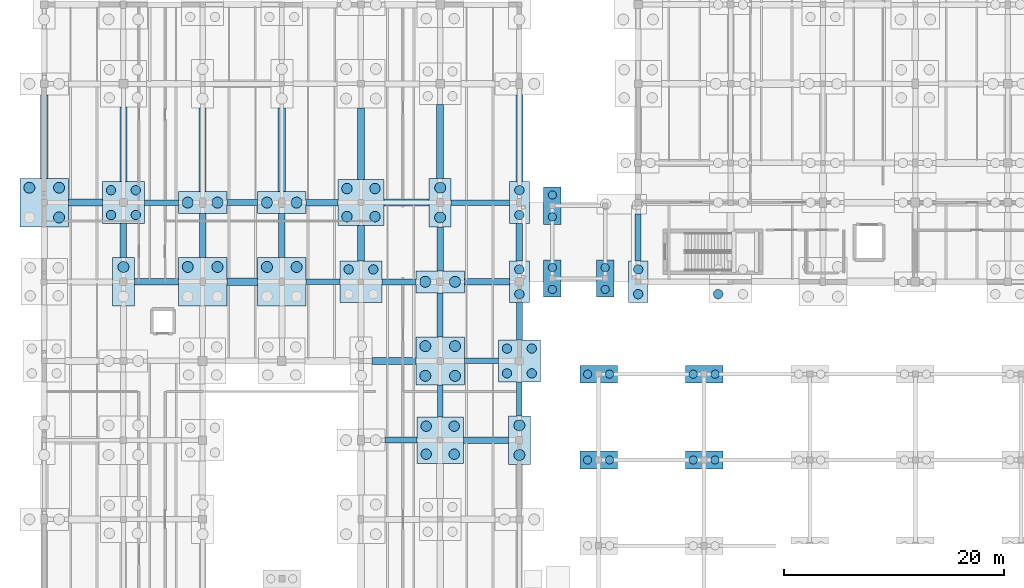
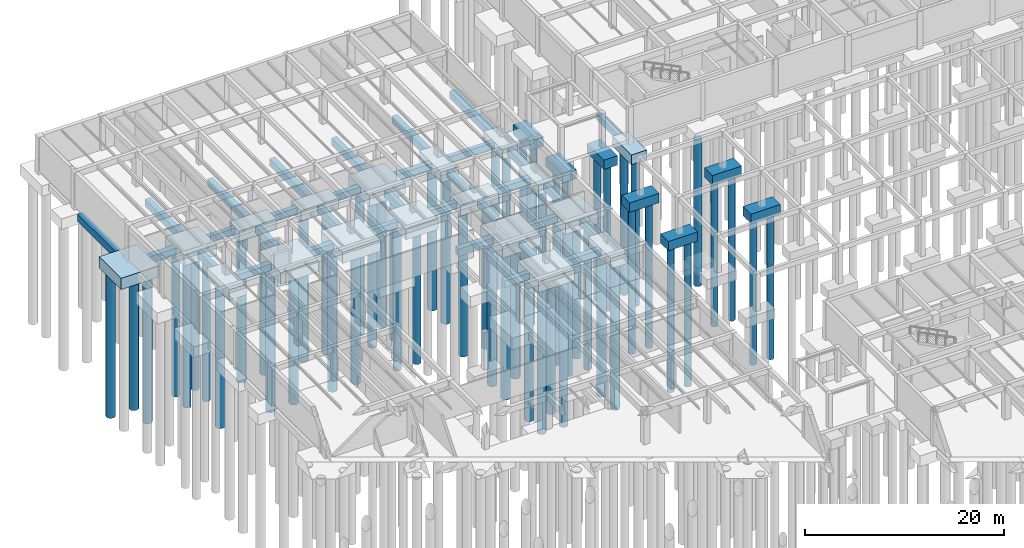
# One storey, part 7 of 63: 61 piles, 58 footings.
"""IFC4 building model written with IfcOpenShell, lengths in metres."""

from ifc_helpers import new_model, si_unit, direction, frame, origin, origin_2d, place, context, subcontext, project, spatial, rectangle, circle, extrude, material, material_profile, profile_set, type_object, element, save


model = new_model("IFC4")

# Units and contexts
model_context = context("Model", 3, precision=1e-05, world=origin(), true_north=direction((0.0, 1.0)))
body_context = subcontext(model_context, "Body", "Model", "MODEL_VIEW")
ifc_project = project(units=[si_unit("LENGTHUNIT", "METRE"), si_unit("AREAUNIT", "SQUARE_METRE"), si_unit("VOLUMEUNIT", "CUBIC_METRE"), si_unit("PLANEANGLEUNIT", "RADIAN"), si_unit("MASSUNIT", "GRAM", prefix="KILO")], contexts=[model_context])

# Site, building, storey
site_placement = place(None, origin())
site = spatial("IfcSite", under=ifc_project, at=site_placement, CompositionType="ELEMENT")
building_placement = place(site_placement, origin())
building = spatial("IfcBuilding", under=site, at=building_placement, Name="Mazaris Harbour Polytechnic", CompositionType="ELEMENT")
storey_placement = place(building_placement, frame((0.0, 0.0, -4.5)))
storey = spatial("IfcBuildingStorey", under=building, at=storey_placement, Name="B1", CompositionType="ELEMENT", Elevation=-4.5)

# Piles
ifc_material_1 = material(Name="Concrete C35/45", Category="concrete")
ifc_material_profile_1 = material_profile(ifc_material_1, circle(Radius=0.5, at=origin_2d()), Name="DIA1000")
ifc_profile_set_1 = profile_set([ifc_material_profile_1], Name="Concrete C35/45")
pile_type_1 = type_object("IfcPileType", Name="Bored Pile 1000", PredefinedType="BORED", material=ifc_profile_set_1)
for number, where, z_axis, x_axis, name in (
    (1, (1.35009765625, 81.449951171875, -1.719970703125), (0.0, 0.0, -1.0), (1.0, 0.0, 0.0), "Bored Pile BP-162-2"),
    (2, (-1.35009765625, 84.14990234375, -1.719970703125), (0.0, 0.0, -1.0), (1.0, 0.0, 0.0), "Bored Pile BP-162-3"),
    (3, (1.35009765625, 84.14990234375, -1.719970703125), (0.0, 0.0, -1.0), (1.0, 0.0, 0.0), "Bored Pile BP-162-4"),
    (4, (7.199951171875, 76.949951171875, -1.6201171875), (0.0, 0.0, -1.0), (1.0, 0.0, 0.0), "Bored Pile BP-174-2"),
    (5, (13.050048828125, 76.949951171875, -1.719970703125), (0.0, 0.0, -1.0), (1.0, 0.0, 0.0), "Bored Pile BP-187-3"),
    (6, (15.75, 76.949951171875, -1.719970703125), (0.0, 0.0, -1.0), (1.0, 0.0, 0.0), "Bored Pile BP-187-4"),
    (7, (13.050048828125, 82.800048828125, -1.6201171875), (0.0, 0.0, -1.0), (1.0, 0.0, 0.0), "Bored Pile BP-188-1"),
    (8, (15.75, 82.800048828125, -1.6201171875), (0.0, 0.0, -1.0), (1.0, 0.0, 0.0), "Bored Pile BP-188-2"),
    (9, (20.25, 76.949951171875, -1.719970703125), (0.0, 0.0, -1.0), (1.0, 0.0, 0.0), "Bored Pile BP-197-3"),
    (10, (22.949951171875, 76.949951171875, -1.719970703125), (0.0, 0.0, -1.0), (1.0, 0.0, 0.0), "Bored Pile BP-197-4"),
    (11, (20.25, 82.800048828125, -1.6201171875), (0.0, 0.0, -1.0), (1.0, 0.0, 0.0), "Bored Pile BP-198-1"),
    (12, (22.949951171875, 82.800048828125, -1.6201171875), (0.0, 0.0, -1.0), (1.0, 0.0, 0.0), "Bored Pile BP-198-2"),
    (13, (34.64990234375, 67.050048828125, -1.719970703125), (0.0, 0.0, -1.0), (1.0, 0.0, 0.0), "Bored Pile BP-222-1"),
    (14, (37.35009765625, 67.050048828125, -1.719970703125), (0.0, 0.0, -1.0), (1.0, 0.0, 0.0), "Bored Pile BP-222-2"),
    (15, (34.64990234375, 69.75, -1.719970703125), (0.0, 0.0, -1.0), (1.0, 0.0, 0.0), "Bored Pile BP-222-3"),
    (16, (37.35009765625, 69.75, -1.719970703125), (0.0, 0.0, -1.0), (1.0, 0.0, 0.0), "Bored Pile BP-222-4"),
    (17, (34.64990234375, 75.60009765625, -1.6201171875), (0.0, 0.0, -1.0), (1.0, 0.0, 0.0), "Bored Pile BP-223-1"),
    (18, (37.35009765625, 75.60009765625, -1.6201171875), (0.0, 0.0, -1.0), (1.0, 0.0, 0.0), "Bored Pile BP-223-2"),
    (19, (36.0, 81.449951171875, -1.6201171875), (0.0, 0.0, -1.0), (1.0, 0.0, 0.0), "Bored Pile BP-224-1"),
    (20, (36.0, 84.14990234375, -1.6201171875), (0.0, 0.0, -1.0), (1.0, 0.0, 0.0), "Bored Pile BP-224-2"),
    (21, (43.199951171875, 59.85009765625, -1.6201171875), (0.0, 0.0, -1.0), (1.0, 0.0, 0.0), "Bored Pile BP-234-1"),
    (22, (43.199951171875, 62.550048828125, -1.6201171875), (0.0, 0.0, -1.0), (1.0, 0.0, 0.0), "Bored Pile BP-234-2"),
):
    element("IfcPile", number, at=place(storey_placement, frame(where, z_axis=z_axis, x_axis=x_axis)), inside=storey, type_object=pile_type_1, Name=name, PredefinedType="BORED", context=body_context, shape_type="SweptSolid", body=[
        extrude(circle(Radius=0.5, at=origin_2d()), origin(), (0.0, 0.0, 1.0), 18.0),
    ])
ifc_material_2 = material(Name="Concrete C35/45", Category="concrete")
ifc_material_profile_2 = material_profile(ifc_material_2, circle(Radius=0.375, at=origin_2d()), Name="DIA750")
ifc_profile_set_2 = profile_set([ifc_material_profile_2], Name="Concrete C35/45")
pile_type_2 = type_object("IfcPileType", Name="Bored Pile 750", PredefinedType="BORED", material=ifc_profile_set_2)
for number, where, z_axis, x_axis, name in (
    (23, (46.199951171875, 74.90625, -1.429931640625), (0.0, 0.0, -1.0), (1.0, 0.0, 0.0), "Bored Pile BP-318-1"),
    (24, (46.199951171875, 76.893798828125, -1.429931640625), (0.0, 0.0, -1.0), (1.0, 0.0, 0.0), "Bored Pile BP-318-2"),
    (25, (46.199951171875, 81.506103515625, -1.429931640625), (0.0, 0.0, -1.0), (1.0, 0.0, 0.0), "Bored Pile BP-319-1"),
    (26, (46.199951171875, 83.493896484375, -1.429931640625), (0.0, 0.0, -1.0), (1.0, 0.0, 0.0), "Bored Pile BP-319-2"),
    (27, (51.0, 74.90625, -1.429931640625), (0.0, 0.0, -1.0), (1.0, 0.0, 0.0), "Bored Pile BP-320-1"),
    (28, (51.0, 76.893798828125, -1.429931640625), (0.0, 0.0, -1.0), (1.0, 0.0, 0.0), "Bored Pile BP-320-2"),
    (29, (49.40625, 59.39990234375, -1.429931640625), (0.0, 0.0, -1.0), (1.0, 0.0, 0.0), "Bored Pile BP-342-1"),
    (30, (51.393798828125, 59.39990234375, -1.429931640625), (0.0, 0.0, -1.0), (1.0, 0.0, 0.0), "Bored Pile BP-342-2"),
    (31, (49.40625, 67.199951171875, -1.429931640625), (0.0, 0.0, -1.0), (1.0, 0.0, 0.0), "Bored Pile BP-343-1"),
    (32, (51.393798828125, 67.199951171875, -1.429931640625), (0.0, 0.0, -1.0), (1.0, 0.0, 0.0), "Bored Pile BP-343-2"),
    (33, (59.006103515625, 59.39990234375, -1.429931640625), (0.0, 0.0, -1.0), (1.0, 0.0, 0.0), "Bored Pile BP-346-1"),
    (34, (60.993896484375, 59.39990234375, -1.429931640625), (0.0, 0.0, -1.0), (1.0, 0.0, 0.0), "Bored Pile BP-346-2"),
    (35, (59.006103515625, 67.199951171875, -1.429931640625), (0.0, 0.0, -1.0), (1.0, 0.0, 0.0), "Bored Pile BP-347-1"),
    (36, (60.993896484375, 67.199951171875, -1.429931640625), (0.0, 0.0, -1.0), (1.0, 0.0, 0.0), "Bored Pile BP-347-2"),
):
    element("IfcPile", number, at=place(storey_placement, frame(where, z_axis=z_axis, x_axis=x_axis)), inside=storey, type_object=pile_type_2, Name=name, PredefinedType="BORED", context=body_context, shape_type="SweptSolid", body=[
        extrude(circle(Radius=0.375, at=origin_2d()), origin(), (0.0, 0.0, 1.0), 18.0),
    ])
ifc_material_3 = material(Name="Concrete C35/45", Category="concrete")
ifc_material_profile_3 = material_profile(ifc_material_3, circle(Radius=0.425048828125, at=origin_2d()), Name="DIA850")
ifc_profile_set_3 = profile_set([ifc_material_profile_3], Name="Concrete C35/45")
pile_type_3 = type_object("IfcPileType", Name="Bored Pile 850", PredefinedType="BORED", material=ifc_profile_set_3)
for number, where, z_axis, x_axis, name in (
    (37, (54.0, 74.473876953125, -1.56005859375), (0.0, 0.0, -1.0), (1.0, 0.0, 0.0), "Bored Pile BP-001-1"),
    (38, (54.0, 76.726318359375, -1.56005859375), (0.0, 0.0, -1.0), (1.0, 0.0, 0.0), "Bored Pile BP-001-2"),
    (39, (61.273681640625, 74.473876953125, -1.659912109375), (0.0, 0.0, -1.0), (1.0, 0.0, 0.0), "Bored Pile BP-009-1"),
    (40, (6.07373046875, 81.673828125, -1.6201171875), (0.0, 0.0, -1.0), (1.0, 0.0, 0.0), "Bored Pile BP-175-1"),
    (41, (8.326171875, 81.673828125, -1.6201171875), (0.0, 0.0, -1.0), (1.0, 0.0, 0.0), "Bored Pile BP-175-2"),
    (42, (6.07373046875, 83.92626953125, -1.6201171875), (0.0, 0.0, -1.0), (1.0, 0.0, 0.0), "Bored Pile BP-175-3"),
    (43, (8.326171875, 83.92626953125, -1.6201171875), (0.0, 0.0, -1.0), (1.0, 0.0, 0.0), "Bored Pile BP-175-4"),
    (44, (27.673828125, 76.726318359375, -1.6201171875), (0.0, 0.0, -1.0), (1.0, 0.0, 0.0), "Bored Pile BP-210-3"),
    (45, (29.92626953125, 76.726318359375, -1.6201171875), (0.0, 0.0, -1.0), (1.0, 0.0, 0.0), "Bored Pile BP-210-4"),
    (46, (42.07373046875, 67.273681640625, -1.6201171875), (0.0, 0.0, -1.0), (1.0, 0.0, 0.0), "Bored Pile BP-235-1"),
    (47, (44.326171875, 67.273681640625, -1.6201171875), (0.0, 0.0, -1.0), (1.0, 0.0, 0.0), "Bored Pile BP-235-2"),
    (48, (42.07373046875, 69.526123046875, -1.6201171875), (0.0, 0.0, -1.0), (1.0, 0.0, 0.0), "Bored Pile BP-235-3"),
    (49, (44.326171875, 69.526123046875, -1.6201171875), (0.0, 0.0, -1.0), (1.0, 0.0, 0.0), "Bored Pile BP-235-4"),
    (50, (43.199951171875, 74.473876953125, -1.52001953125), (0.0, 0.0, -1.0), (1.0, 0.0, 0.0), "Bored Pile BP-236-1"),
    (51, (43.199951171875, 76.726318359375, -1.52001953125), (0.0, 0.0, -1.0), (1.0, 0.0, 0.0), "Bored Pile BP-236-2"),
    (52, (43.199951171875, 81.673828125, -1.52001953125), (0.0, 0.0, -1.0), (1.0, 0.0, 0.0), "Bored Pile BP-237-1"),
    (53, (43.199951171875, 83.92626953125, -1.52001953125), (0.0, 0.0, -1.0), (1.0, 0.0, 0.0), "Bored Pile BP-237-2"),
):
    element("IfcPile", number, at=place(storey_placement, frame(where, z_axis=z_axis, x_axis=x_axis)), inside=storey, type_object=pile_type_3, Name=name, PredefinedType="BORED", context=body_context, shape_type="SweptSolid", body=[
        extrude(circle(Radius=0.425048828125, at=origin_2d()), origin(), (0.0, 0.0, 1.0), 18.0),
    ])
ifc_material_4 = material(Name="Concrete C35/45", Category="concrete")
ifc_material_profile_4 = material_profile(ifc_material_4, circle(Radius=0.47509765625, at=origin_2d()), Name="DIA950")
ifc_profile_set_4 = profile_set([ifc_material_profile_4], Name="Concrete C35/45")
pile_type_4 = type_object("IfcPileType", Name="Bored Pile 950", PredefinedType="BORED", material=ifc_profile_set_4)
for number, where, z_axis, x_axis, name in (
    (54, (27.52490234375, 81.52490234375, -1.669921875), (0.0, 0.0, -1.0), (1.0, 0.0, 0.0), "Bored Pile BP-211-1"),
    (55, (30.074951171875, 81.52490234375, -1.669921875), (0.0, 0.0, -1.0), (1.0, 0.0, 0.0), "Bored Pile BP-211-2"),
    (56, (27.52490234375, 84.074951171875, -1.669921875), (0.0, 0.0, -1.0), (1.0, 0.0, 0.0), "Bored Pile BP-211-3"),
    (57, (30.074951171875, 84.074951171875, -1.669921875), (0.0, 0.0, -1.0), (1.0, 0.0, 0.0), "Bored Pile BP-211-4"),
    (58, (34.72509765625, 59.925048828125, -1.669921875), (0.0, 0.0, -1.0), (1.0, 0.0, 0.0), "Bored Pile BP-221-1"),
    (59, (37.27490234375, 59.925048828125, -1.669921875), (0.0, 0.0, -1.0), (1.0, 0.0, 0.0), "Bored Pile BP-221-2"),
    (60, (34.72509765625, 62.47509765625, -1.669921875), (0.0, 0.0, -1.0), (1.0, 0.0, 0.0), "Bored Pile BP-221-3"),
    (61, (37.27490234375, 62.47509765625, -1.669921875), (0.0, 0.0, -1.0), (1.0, 0.0, 0.0), "Bored Pile BP-221-4"),
):
    element("IfcPile", number, at=place(storey_placement, frame(where, z_axis=z_axis, x_axis=x_axis)), inside=storey, type_object=pile_type_4, Name=name, PredefinedType="BORED", context=body_context, shape_type="SweptSolid", body=[
        extrude(circle(Radius=0.47509765625, at=origin_2d()), origin(), (0.0, 0.0, 1.0), 18.0),
    ])

# Footings
ifc_material_5 = material(Name="Concrete C35/45", Category="concrete")
footing_type_1 = type_object("IfcFootingType", Name="Pile Cap 1600x3400x1150", PredefinedType="PILE_CAP", material=ifc_material_5)
for number, where, z_axis, x_axis, name in (
    (62, (46.199951171875, 75.89990234375, -1.530029296875), (0.0, 0.0, 1.0), (1.0, 0.0, 0.0), "Pile Cap CAP-318"),
    (63, (46.199951171875, 82.5, -1.530029296875), (0.0, 0.0, 1.0), (1.0, 0.0, 0.0), "Pile Cap CAP-319"),
    (64, (51.0, 75.89990234375, -1.530029296875), (0.0, 0.0, 1.0), (1.0, 0.0, 0.0), "Pile Cap CAP-320"),
):
    element("IfcFooting", number, at=place(storey_placement, frame(where, z_axis=z_axis, x_axis=x_axis)), inside=storey, type_object=footing_type_1, Name=name, PredefinedType="PILE_CAP", context=body_context, shape_type="SweptSolid", body=[
        extrude(rectangle(XDim=1.60009765625, YDim=3.39990234375, at=origin_2d()), origin(), (0.0, 0.0, 1.0), 1.14990234375),
    ])
ifc_material_6 = material(Name="Concrete C35/45", Category="concrete")
footing_type_2 = type_object("IfcFootingType", Name="Pile Cap 1800x3800x1200", PredefinedType="PILE_CAP", material=ifc_material_6)
for number, where, z_axis, x_axis, name in (
    (65, (54.0, 75.60009765625, -1.66015625), (0.0, 0.0, 1.0), (1.0, 0.0, 0.0), "Pile Cap CAP-001"),
    (66, (43.199951171875, 75.60009765625, -1.6201171875), (0.0, 0.0, 1.0), (1.0, 0.0, 0.0), "Pile Cap CAP-236"),
    (67, (43.199951171875, 82.800048828125, -1.6201171875), (0.0, 0.0, 1.0), (1.0, 0.0, 0.0), "Pile Cap CAP-237"),
):
    element("IfcFooting", number, at=place(storey_placement, frame(where, z_axis=z_axis, x_axis=x_axis)), inside=storey, type_object=footing_type_2, Name=name, PredefinedType="PILE_CAP", context=body_context, shape_type="SweptSolid", body=[
        extrude(rectangle(XDim=1.800048828125, YDim=3.800048828125, at=origin_2d()), origin(), (0.0, 0.0, 1.0), 1.199951171875),
    ])
ifc_material_7 = material(Name="Concrete C35/45", Category="concrete")
footing_type_3 = type_object("IfcFootingType", Name="Pile Cap 2000x4400x1300", PredefinedType="PILE_CAP", material=ifc_material_7)
for number, where, z_axis, x_axis, name in (
    (68, (7.199951171875, 75.60009765625, -1.72021484375), (0.0, 0.0, 1.0), (1.0, 0.0, 0.0), "Pile Cap CAP-174"),
    (69, (36.0, 82.800048828125, -1.72021484375), (0.0, 0.0, 1.0), (1.0, 0.0, 0.0), "Pile Cap CAP-224"),
    (70, (43.199951171875, 61.199951171875, -1.72021484375), (0.0, 0.0, 1.0), (1.0, 0.0, 0.0), "Pile Cap CAP-234"),
):
    element("IfcFooting", number, at=place(storey_placement, frame(where, z_axis=z_axis, x_axis=x_axis)), inside=storey, type_object=footing_type_3, Name=name, PredefinedType="PILE_CAP", context=body_context, shape_type="SweptSolid", body=[
        extrude(rectangle(XDim=2.0, YDim=4.39990234375, at=origin_2d()), origin(), (0.0, 0.0, 1.0), 1.300048828125),
    ])
ifc_material_8 = material(Name="Concrete C35/45", Category="concrete")
footing_type_4 = type_object("IfcFootingType", Name="Pile Cap 3400x1600x1150", PredefinedType="PILE_CAP", material=ifc_material_8)
for number, where, z_axis, x_axis, name in (
    (71, (50.39990234375, 59.39990234375, -1.530029296875), (0.0, 0.0, 1.0), (1.0, 0.0, 0.0), "Pile Cap CAP-342"),
    (72, (50.39990234375, 67.199951171875, -1.530029296875), (0.0, 0.0, 1.0), (1.0, 0.0, 0.0), "Pile Cap CAP-343"),
    (73, (60.0, 59.39990234375, -1.530029296875), (0.0, 0.0, 1.0), (1.0, 0.0, 0.0), "Pile Cap CAP-346"),
    (74, (60.0, 67.199951171875, -1.530029296875), (0.0, 0.0, 1.0), (1.0, 0.0, 0.0), "Pile Cap CAP-347"),
):
    element("IfcFooting", number, at=place(storey_placement, frame(where, z_axis=z_axis, x_axis=x_axis)), inside=storey, type_object=footing_type_4, Name=name, PredefinedType="PILE_CAP", context=body_context, shape_type="SweptSolid", body=[
        extrude(rectangle(XDim=3.39990234375, YDim=1.60009765625, at=origin_2d()), origin(), (0.0, 0.0, 1.0), 1.14990234375),
    ])
ifc_material_9 = material(Name="Concrete C35/45", Category="concrete")
footing_type_5 = type_object("IfcFootingType", Name="Pile Cap 3800x3800x1300", PredefinedType="PILE_CAP", material=ifc_material_9)
for number, where, z_axis, x_axis, name in (
    (75, (7.199951171875, 82.800048828125, -1.72021484375), (0.0, 0.0, 1.0), (1.0, 0.0, 0.0), "Pile Cap CAP-175"),
    (76, (28.800048828125, 75.60009765625, -1.72021484375), (0.0, 0.0, 1.0), (1.0, 0.0, 0.0), "Pile Cap CAP-210"),
    (77, (43.199951171875, 68.39990234375, -1.72021484375), (0.0, 0.0, 1.0), (1.0, 0.0, 0.0), "Pile Cap CAP-235"),
):
    element("IfcFooting", number, at=place(storey_placement, frame(where, z_axis=z_axis, x_axis=x_axis)), inside=storey, type_object=footing_type_5, Name=name, PredefinedType="PILE_CAP", context=body_context, shape_type="SweptSolid", body=[
        extrude(rectangle(XDim=3.800048828125, YDim=3.800048828125, at=origin_2d()), origin(), (0.0, 0.0, 1.0), 1.300048828125),
    ])
ifc_material_10 = material(Name="Concrete C35/45", Category="concrete")
footing_type_6 = type_object("IfcFootingType", Name="Pile Cap 4200x4200x1350", PredefinedType="PILE_CAP", material=ifc_material_10)
for number, where, z_axis, x_axis, name in (
    (78, (28.800048828125, 82.800048828125, -1.77001953125), (0.0, 0.0, 1.0), (1.0, 0.0, 0.0), "Pile Cap CAP-211"),
    (79, (36.0, 61.199951171875, -1.77001953125), (0.0, 0.0, 1.0), (1.0, 0.0, 0.0), "Pile Cap CAP-221"),
):
    element("IfcFooting", number, at=place(storey_placement, frame(where, z_axis=z_axis, x_axis=x_axis)), inside=storey, type_object=footing_type_6, Name=name, PredefinedType="PILE_CAP", context=body_context, shape_type="SweptSolid", body=[
        extrude(rectangle(XDim=4.199951171875, YDim=4.199951171875, at=origin_2d()), origin(), (0.0, 0.0, 1.0), 1.35009765625),
    ])
ifc_material_11 = material(Name="Concrete C35/45", Category="concrete")
footing_type_7 = type_object("IfcFootingType", Name="Pile Cap 4400x2000x1300", PredefinedType="PILE_CAP", material=ifc_material_11)
for number, where, z_axis, x_axis, name in (
    (80, (14.39990234375, 82.800048828125, -1.72021484375), (0.0, 0.0, 1.0), (1.0, 0.0, 0.0), "Pile Cap CAP-188"),
    (81, (21.60009765625, 82.800048828125, -1.72021484375), (0.0, 0.0, 1.0), (1.0, 0.0, 0.0), "Pile Cap CAP-198"),
    (82, (36.0, 75.60009765625, -1.72021484375), (0.0, 0.0, 1.0), (1.0, 0.0, 0.0), "Pile Cap CAP-223"),
):
    element("IfcFooting", number, at=place(storey_placement, frame(where, z_axis=z_axis, x_axis=x_axis)), inside=storey, type_object=footing_type_7, Name=name, PredefinedType="PILE_CAP", context=body_context, shape_type="SweptSolid", body=[
        extrude(rectangle(XDim=4.39990234375, YDim=2.0, at=origin_2d()), origin(), (0.0, 0.0, 1.0), 1.300048828125),
    ])
ifc_material_12 = material(Name="Concrete C35/45", Category="concrete")
footing_type_8 = type_object("IfcFootingType", Name="Pile Cap 4400x4400x1400", PredefinedType="PILE_CAP", material=ifc_material_12)
for number, where, z_axis, x_axis, name in (
    (83, (0.0, 82.800048828125, -1.820068359375), (0.0, 0.0, 1.0), (1.0, 0.0, 0.0), "Pile Cap CAP-162"),
    (84, (14.39990234375, 75.60009765625, -1.820068359375), (0.0, 0.0, 1.0), (1.0, 0.0, 0.0), "Pile Cap CAP-187"),
    (85, (21.60009765625, 75.60009765625, -1.820068359375), (0.0, 0.0, 1.0), (1.0, 0.0, 0.0), "Pile Cap CAP-197"),
    (86, (36.0, 68.39990234375, -1.820068359375), (0.0, 0.0, 1.0), (1.0, 0.0, 0.0), "Pile Cap CAP-222"),
):
    element("IfcFooting", number, at=place(storey_placement, frame(where, z_axis=z_axis, x_axis=x_axis)), inside=storey, type_object=footing_type_8, Name=name, PredefinedType="PILE_CAP", context=body_context, shape_type="SweptSolid", body=[
        extrude(rectangle(XDim=4.39990234375, YDim=4.39990234375, at=origin_2d()), origin(), (0.0, 0.0, 1.0), 1.39990234375),
    ])
ifc_material_13 = material(Name="Concrete C35/45", Category="concrete")
ifc_material_profile_5 = material_profile(ifc_material_13, rectangle(XDim=0.5, YDim=0.75, at=origin_2d()), Name="RECT500x750")
ifc_profile_set_5 = profile_set([ifc_material_profile_5], Name="Concrete C35/45")
footing_type_9 = type_object("IfcFootingType", Name="Seismic Tie Beam 500x750", PredefinedType="FOOTING_BEAM", material=ifc_profile_set_5)
footing_1_placement = place(storey_placement, frame((38.199951171875, 68.39990234375, -0.8349609375), z_axis=(1.0, 0.0, 0.0), x_axis=(0.0, 1.0, 0.0)))
element("IfcFooting", 87, at=footing_1_placement, inside=storey, type_object=footing_type_9, Name="Seismic Tie Beam FTB-300", PredefinedType="FOOTING_BEAM", context=body_context, shape_type="SweptSolid", body=[
    extrude(rectangle(XDim=0.5, YDim=0.75, at=origin_2d()), origin(), (0.0, 0.0, 1.0), 3.10009765625),
])
for number, where, z_axis, x_axis, name in (
    (88, (23.800048828125, 75.60009765625, -0.8349609375), (1.0, 0.0, 0.0), (0.0, 1.0, 0.0), "Seismic Tie Beam FTB-304"),
    (89, (9.10009765625, 82.800048828125, -0.8349609375), (1.0, 0.0, 0.0), (0.0, 1.0, 0.0), "Seismic Tie Beam FTB-308"),
):
    element("IfcFooting", number, at=place(storey_placement, frame(where, z_axis=z_axis, x_axis=x_axis)), inside=storey, type_object=footing_type_9, Name=name, PredefinedType="FOOTING_BEAM", context=body_context, shape_type="SweptSolid", body=[
        extrude(rectangle(XDim=0.5, YDim=0.75, at=origin_2d()), origin(), (0.0, 0.0, 1.0), 3.099853515625),
    ])
footing_2_placement = place(storey_placement, frame((37.0, 82.800048828125, -0.8349609375), z_axis=(1.0, 0.0, 0.0), x_axis=(0.0, 1.0, 0.0)))
element("IfcFooting", 90, at=footing_2_placement, inside=storey, type_object=footing_type_9, Name="Seismic Tie Beam FTB-312", PredefinedType="FOOTING_BEAM", context=body_context, shape_type="SweptSolid", body=[
    extrude(rectangle(XDim=0.5, YDim=0.75, at=origin_2d()), origin(), (0.0, 0.0, 1.0), 5.300048828125),
])
footing_3_placement = place(storey_placement, frame((36.0, 63.300048828125, -0.8349609375), z_axis=(0.0, 1.0, 0.0), x_axis=(-1.0, 0.0, 0.0)))
element("IfcFooting", 91, at=footing_3_placement, inside=storey, type_object=footing_type_9, Name="Seismic Tie Beam FTB-388", PredefinedType="FOOTING_BEAM", context=body_context, shape_type="SweptSolid", body=[
    extrude(rectangle(XDim=0.5, YDim=0.75, at=origin_2d()), origin(), (0.0, 0.0, 1.0), 2.89990234375),
])
footing_4_placement = place(storey_placement, frame((43.199951171875, 63.39990234375, -0.8349609375), z_axis=(0.0, 1.0, 0.0), x_axis=(-1.0, 0.0, 0.0)))
element("IfcFooting", 92, at=footing_4_placement, inside=storey, type_object=footing_type_9, Name="Seismic Tie Beam FTB-400", PredefinedType="FOOTING_BEAM", context=body_context, shape_type="SweptSolid", body=[
    extrude(rectangle(XDim=0.5, YDim=0.75, at=origin_2d()), origin(), (0.0, 0.0, 1.0), 3.10009765625),
])
ifc_material_14 = material(Name="Concrete C35/45", Category="concrete")
ifc_material_profile_6 = material_profile(ifc_material_14, rectangle(XDim=0.550048828125, YDim=0.800048828125, at=origin_2d()), Name="RECT550x800")
ifc_profile_set_6 = profile_set([ifc_material_profile_6], Name="Concrete C35/45")
footing_type_10 = type_object("IfcFootingType", Name="Seismic Tie Beam 550x800", PredefinedType="FOOTING_BEAM", material=ifc_profile_set_6)
footing_5_placement = place(storey_placement, frame((54.0, 77.5, -0.860107421875), z_axis=(0.0, 1.0, 0.0), x_axis=(-1.0, 0.0, 0.0)))
element("IfcFooting", 93, at=footing_5_placement, inside=storey, type_object=footing_type_10, Name="Seismic Tie Beam FTB-057", PredefinedType="FOOTING_BEAM", context=body_context, shape_type="SweptSolid", body=[
    extrude(rectangle(XDim=0.550048828125, YDim=0.800048828125, at=origin_2d()), origin(), (0.0, 0.0, 1.0), 4.25),
])
footing_6_placement = place(storey_placement, frame((31.0, 61.199951171875, -0.860107421875), z_axis=(1.0, 0.0, 0.0), x_axis=(0.0, 1.0, 0.0)))
element("IfcFooting", 94, at=footing_6_placement, inside=storey, type_object=footing_type_10, Name="Seismic Tie Beam FTB-293", PredefinedType="FOOTING_BEAM", context=body_context, shape_type="SweptSolid", body=[
    extrude(rectangle(XDim=0.550048828125, YDim=0.800048828125, at=origin_2d()), origin(), (0.0, 0.0, 1.0), 2.89990234375),
])
footing_7_placement = place(storey_placement, frame((30.699951171875, 75.60009765625, -0.860107421875), z_axis=(1.0, 0.0, 0.0), x_axis=(0.0, 1.0, 0.0)))
element("IfcFooting", 95, at=footing_7_placement, inside=storey, type_object=footing_type_10, Name="Seismic Tie Beam FTB-305", PredefinedType="FOOTING_BEAM", context=body_context, shape_type="SweptSolid", body=[
    extrude(rectangle(XDim=0.550048828125, YDim=0.800048828125, at=origin_2d()), origin(), (0.0, 0.0, 1.0), 3.10009765625),
])
footing_8_placement = place(storey_placement, frame((16.60009765625, 82.800048828125, -0.860107421875), z_axis=(1.0, 0.0, 0.0), x_axis=(0.0, 1.0, 0.0)))
element("IfcFooting", 96, at=footing_8_placement, inside=storey, type_object=footing_type_10, Name="Seismic Tie Beam FTB-309", PredefinedType="FOOTING_BEAM", context=body_context, shape_type="SweptSolid", body=[
    extrude(rectangle(XDim=0.550048828125, YDim=0.800048828125, at=origin_2d()), origin(), (0.0, 0.0, 1.0), 2.7998046875),
])
footing_9_placement = place(storey_placement, frame((36.0, 70.60009765625, -0.860107421875), z_axis=(0.0, 1.0, 0.0), x_axis=(-1.0, 0.0, 0.0)))
element("IfcFooting", 97, at=footing_9_placement, inside=storey, type_object=footing_type_10, Name="Seismic Tie Beam FTB-389", PredefinedType="FOOTING_BEAM", context=body_context, shape_type="SweptSolid", body=[
    extrude(rectangle(XDim=0.550048828125, YDim=0.800048828125, at=origin_2d()), origin(), (0.0, 0.0, 1.0), 4.0),
])
footing_10_placement = place(storey_placement, frame((43.199951171875, 70.300048828125, -0.860107421875), z_axis=(0.0, 1.0, 0.0), x_axis=(-1.0, 0.0, 0.0)))
element("IfcFooting", 98, at=footing_10_placement, inside=storey, type_object=footing_type_10, Name="Seismic Tie Beam FTB-401", PredefinedType="FOOTING_BEAM", context=body_context, shape_type="SweptSolid", body=[
    extrude(rectangle(XDim=0.550048828125, YDim=0.800048828125, at=origin_2d()), origin(), (0.0, 0.0, 1.0), 3.39990234375),
])
ifc_material_15 = material(Name="Concrete C35/45", Category="concrete")
ifc_material_profile_7 = material_profile(ifc_material_15, rectangle(XDim=0.60009765625, YDim=0.85009765625, at=origin_2d()), Name="RECT600x850")
ifc_profile_set_7 = profile_set([ifc_material_profile_7], Name="Concrete C35/45")
footing_type_11 = type_object("IfcFootingType", Name="Seismic Tie Beam 600x850", PredefinedType="FOOTING_BEAM", material=ifc_profile_set_7)
footing_11_placement = place(storey_placement, frame((38.10009765625, 61.199951171875, -0.885009765625), z_axis=(1.0, 0.0, 0.0), x_axis=(0.0, 1.0, 0.0)))
element("IfcFooting", 99, at=footing_11_placement, inside=storey, type_object=footing_type_11, Name="Seismic Tie Beam FTB-294", PredefinedType="FOOTING_BEAM", context=body_context, shape_type="SweptSolid", body=[
    extrude(rectangle(XDim=0.60009765625, YDim=0.85009765625, at=origin_2d()), origin(), (0.0, 0.0, 1.0), 4.099853515625),
])
footing_12_placement = place(storey_placement, frame((8.199951171875, 75.60009765625, -0.885009765625), z_axis=(1.0, 0.0, 0.0), x_axis=(0.0, 1.0, 0.0)))
element("IfcFooting", 100, at=footing_12_placement, inside=storey, type_object=footing_type_11, Name="Seismic Tie Beam FTB-302", PredefinedType="FOOTING_BEAM", context=body_context, shape_type="SweptSolid", body=[
    extrude(rectangle(XDim=0.60009765625, YDim=0.85009765625, at=origin_2d()), origin(), (0.0, 0.0, 1.0), 4.0),
])
footing_13_placement = place(storey_placement, frame((38.199951171875, 75.60009765625, -0.885009765625), z_axis=(1.0, 0.0, 0.0), x_axis=(0.0, 1.0, 0.0)))
element("IfcFooting", 101, at=footing_13_placement, inside=storey, type_object=footing_type_11, Name="Seismic Tie Beam FTB-306", PredefinedType="FOOTING_BEAM", context=body_context, shape_type="SweptSolid", body=[
    extrude(rectangle(XDim=0.60009765625, YDim=0.85009765625, at=origin_2d()), origin(), (0.0, 0.0, 1.0), 4.10009765625),
])
footing_14_placement = place(storey_placement, frame((23.800048828125, 82.800048828125, -0.885009765625), z_axis=(1.0, 0.0, 0.0), x_axis=(0.0, 1.0, 0.0)))
element("IfcFooting", 102, at=footing_14_placement, inside=storey, type_object=footing_type_11, Name="Seismic Tie Beam FTB-310", PredefinedType="FOOTING_BEAM", context=body_context, shape_type="SweptSolid", body=[
    extrude(rectangle(XDim=0.60009765625, YDim=0.85009765625, at=origin_2d()), origin(), (0.0, 0.0, 1.0), 2.89990234375),
])
footing_15_placement = place(storey_placement, frame((7.199951171875, 77.800048828125, -0.885009765625), z_axis=(0.0, 1.0, 0.0), x_axis=(-1.0, 0.0, 0.0)))
element("IfcFooting", 103, at=footing_15_placement, inside=storey, type_object=footing_type_11, Name="Seismic Tie Beam FTB-346", PredefinedType="FOOTING_BEAM", context=body_context, shape_type="SweptSolid", body=[
    extrude(rectangle(XDim=0.60009765625, YDim=0.85009765625, at=origin_2d()), origin(), (0.0, 0.0, 1.0), 3.099853515625),
])
for number, where, z_axis, x_axis, name in (
    (104, (14.39990234375, 77.800048828125, -0.885009765625), (0.0, 1.0, 0.0), (-1.0, 0.0, 0.0), "Seismic Tie Beam FTB-358"),
    (105, (21.60009765625, 77.800048828125, -0.885009765625), (0.0, 1.0, 0.0), (-1.0, 0.0, 0.0), "Seismic Tie Beam FTB-366"),
):
    element("IfcFooting", number, at=place(storey_placement, frame(where, z_axis=z_axis, x_axis=x_axis)), inside=storey, type_object=footing_type_11, Name=name, PredefinedType="FOOTING_BEAM", context=body_context, shape_type="SweptSolid", body=[
        extrude(rectangle(XDim=0.60009765625, YDim=0.85009765625, at=origin_2d()), origin(), (0.0, 0.0, 1.0), 4.0),
    ])
footing_16_placement = place(storey_placement, frame((28.800048828125, 77.5, -0.885009765625), z_axis=(0.0, 1.0, 0.0), x_axis=(-1.0, 0.0, 0.0)))
element("IfcFooting", 106, at=footing_16_placement, inside=storey, type_object=footing_type_11, Name="Seismic Tie Beam FTB-378", PredefinedType="FOOTING_BEAM", context=body_context, shape_type="SweptSolid", body=[
    extrude(rectangle(XDim=0.60009765625, YDim=0.85009765625, at=origin_2d()), origin(), (0.0, 0.0, 1.0), 3.199951171875),
])
footing_17_placement = place(storey_placement, frame((36.0, 76.60009765625, -0.885009765625), z_axis=(0.0, 1.0, 0.0), x_axis=(-1.0, 0.0, 0.0)))
element("IfcFooting", 107, at=footing_17_placement, inside=storey, type_object=footing_type_11, Name="Seismic Tie Beam FTB-390", PredefinedType="FOOTING_BEAM", context=body_context, shape_type="SweptSolid", body=[
    extrude(rectangle(XDim=0.60009765625, YDim=0.85009765625, at=origin_2d()), origin(), (0.0, 0.0, 1.0), 4.0),
])
footing_18_placement = place(storey_placement, frame((43.199951171875, 77.5, -0.885009765625), z_axis=(0.0, 1.0, 0.0), x_axis=(-1.0, 0.0, 0.0)))
element("IfcFooting", 108, at=footing_18_placement, inside=storey, type_object=footing_type_11, Name="Seismic Tie Beam FTB-402", PredefinedType="FOOTING_BEAM", context=body_context, shape_type="SweptSolid", body=[
    extrude(rectangle(XDim=0.60009765625, YDim=0.85009765625, at=origin_2d()), origin(), (0.0, 0.0, 1.0), 3.39990234375),
])
ifc_material_16 = material(Name="Concrete C35/45", Category="concrete")
ifc_material_profile_8 = material_profile(ifc_material_16, rectangle(XDim=0.64990234375, YDim=0.89990234375, at=origin_2d()), Name="RECT650x900")
ifc_profile_set_8 = profile_set([ifc_material_profile_8], Name="Concrete C35/45")
footing_type_12 = type_object("IfcFootingType", Name="Seismic Tie Beam 650x900", PredefinedType="FOOTING_BEAM", material=ifc_profile_set_8)
footing_19_placement = place(storey_placement, frame((29.800048828125, 68.39990234375, -0.909912109375), z_axis=(1.0, 0.0, 0.0), x_axis=(0.0, 1.0, 0.0)))
element("IfcFooting", 109, at=footing_19_placement, inside=storey, type_object=footing_type_12, Name="Seismic Tie Beam FTB-299", PredefinedType="FOOTING_BEAM", context=body_context, shape_type="SweptSolid", body=[
    extrude(rectangle(XDim=0.64990234375, YDim=0.89990234375, at=origin_2d()), origin(), (0.0, 0.0, 1.0), 4.0),
])
footing_20_placement = place(storey_placement, frame((16.60009765625, 75.60009765625, -0.909912109375), z_axis=(1.0, 0.0, 0.0), x_axis=(0.0, 1.0, 0.0)))
element("IfcFooting", 110, at=footing_20_placement, inside=storey, type_object=footing_type_12, Name="Seismic Tie Beam FTB-303", PredefinedType="FOOTING_BEAM", context=body_context, shape_type="SweptSolid", body=[
    extrude(rectangle(XDim=0.64990234375, YDim=0.89990234375, at=origin_2d()), origin(), (0.0, 0.0, 1.0), 2.7998046875),
])
footing_21_placement = place(storey_placement, frame((2.199951171875, 82.800048828125, -0.909912109375), z_axis=(1.0, 0.0, 0.0), x_axis=(0.0, 1.0, 0.0)))
element("IfcFooting", 111, at=footing_21_placement, inside=storey, type_object=footing_type_12, Name="Seismic Tie Beam FTB-307", PredefinedType="FOOTING_BEAM", context=body_context, shape_type="SweptSolid", body=[
    extrude(rectangle(XDim=0.64990234375, YDim=0.89990234375, at=origin_2d()), origin(), (0.0, 0.0, 1.0), 3.10009765625),
])
footing_22_placement = place(storey_placement, frame((30.89990234375, 82.800048828125, -0.909912109375), z_axis=(1.0, 0.0, 0.0), x_axis=(0.0, 1.0, 0.0)))
element("IfcFooting", 112, at=footing_22_placement, inside=storey, type_object=footing_type_12, Name="Seismic Tie Beam FTB-311", PredefinedType="FOOTING_BEAM", context=body_context, shape_type="SweptSolid", body=[
    extrude(rectangle(XDim=0.64990234375, YDim=0.89990234375, at=origin_2d()), origin(), (0.0, 0.0, 1.0), 4.10009765625),
])
footing_23_placement = place(storey_placement, frame((0.0, 85.0, -0.909912109375), z_axis=(0.0, 1.0, 0.0), x_axis=(-1.0, 0.0, 0.0)))
element("IfcFooting", 113, at=footing_23_placement, inside=storey, type_object=footing_type_12, Name="Seismic Tie Beam FTB-335", PredefinedType="FOOTING_BEAM", context=body_context, shape_type="SweptSolid", body=[
    extrude(rectangle(XDim=0.64990234375, YDim=0.89990234375, at=origin_2d()), origin(), (0.0, 0.0, 1.0), 7.60009765625),
])
footing_24_placement = place(storey_placement, frame((7.199951171875, 84.699951171875, -0.909912109375), z_axis=(0.0, 1.0, 0.0), x_axis=(-1.0, 0.0, 0.0)))
element("IfcFooting", 114, at=footing_24_placement, inside=storey, type_object=footing_type_12, Name="Seismic Tie Beam FTB-347", PredefinedType="FOOTING_BEAM", context=body_context, shape_type="SweptSolid", body=[
    extrude(rectangle(XDim=0.64990234375, YDim=0.89990234375, at=origin_2d()), origin(), (0.0, 0.0, 1.0), 6.800048828125),
])
for number, where, z_axis, x_axis, name in (
    (115, (14.39990234375, 83.800048828125, -0.909912109375), (0.0, 1.0, 0.0), (-1.0, 0.0, 0.0), "Seismic Tie Beam FTB-359"),
    (116, (21.60009765625, 83.800048828125, -0.909912109375), (0.0, 1.0, 0.0), (-1.0, 0.0, 0.0), "Seismic Tie Beam FTB-367"),
):
    element("IfcFooting", number, at=place(storey_placement, frame(where, z_axis=z_axis, x_axis=x_axis)), inside=storey, type_object=footing_type_12, Name=name, PredefinedType="FOOTING_BEAM", context=body_context, shape_type="SweptSolid", body=[
        extrude(rectangle(XDim=0.64990234375, YDim=0.89990234375, at=origin_2d()), origin(), (0.0, 0.0, 1.0), 7.599853515625),
    ])
footing_25_placement = place(storey_placement, frame((28.800048828125, 84.89990234375, -0.909912109375), z_axis=(0.0, 1.0, 0.0), x_axis=(-1.0, 0.0, 0.0)))
element("IfcFooting", 117, at=footing_25_placement, inside=storey, type_object=footing_type_12, Name="Seismic Tie Beam FTB-379", PredefinedType="FOOTING_BEAM", context=body_context, shape_type="SweptSolid", body=[
    extrude(rectangle(XDim=0.64990234375, YDim=0.89990234375, at=origin_2d()), origin(), (0.0, 0.0, 1.0), 6.5),
])
footing_26_placement = place(storey_placement, frame((36.0, 85.0, -0.909912109375), z_axis=(0.0, 1.0, 0.0), x_axis=(-1.0, 0.0, 0.0)))
element("IfcFooting", 118, at=footing_26_placement, inside=storey, type_object=footing_type_12, Name="Seismic Tie Beam FTB-391", PredefinedType="FOOTING_BEAM", context=body_context, shape_type="SweptSolid", body=[
    extrude(rectangle(XDim=0.64990234375, YDim=0.89990234375, at=origin_2d()), origin(), (0.0, 0.0, 1.0), 6.699951171875),
])
footing_27_placement = place(storey_placement, frame((43.199951171875, 84.699951171875, -0.909912109375), z_axis=(0.0, 1.0, 0.0), x_axis=(-1.0, 0.0, 0.0)))
element("IfcFooting", 119, at=footing_27_placement, inside=storey, type_object=footing_type_12, Name="Seismic Tie Beam FTB-403", PredefinedType="FOOTING_BEAM", context=body_context, shape_type="SweptSolid", body=[
    extrude(rectangle(XDim=0.64990234375, YDim=0.89990234375, at=origin_2d()), origin(), (0.0, 0.0, 1.0), 7.900146484375),
])

save(model, "model.ifc")
